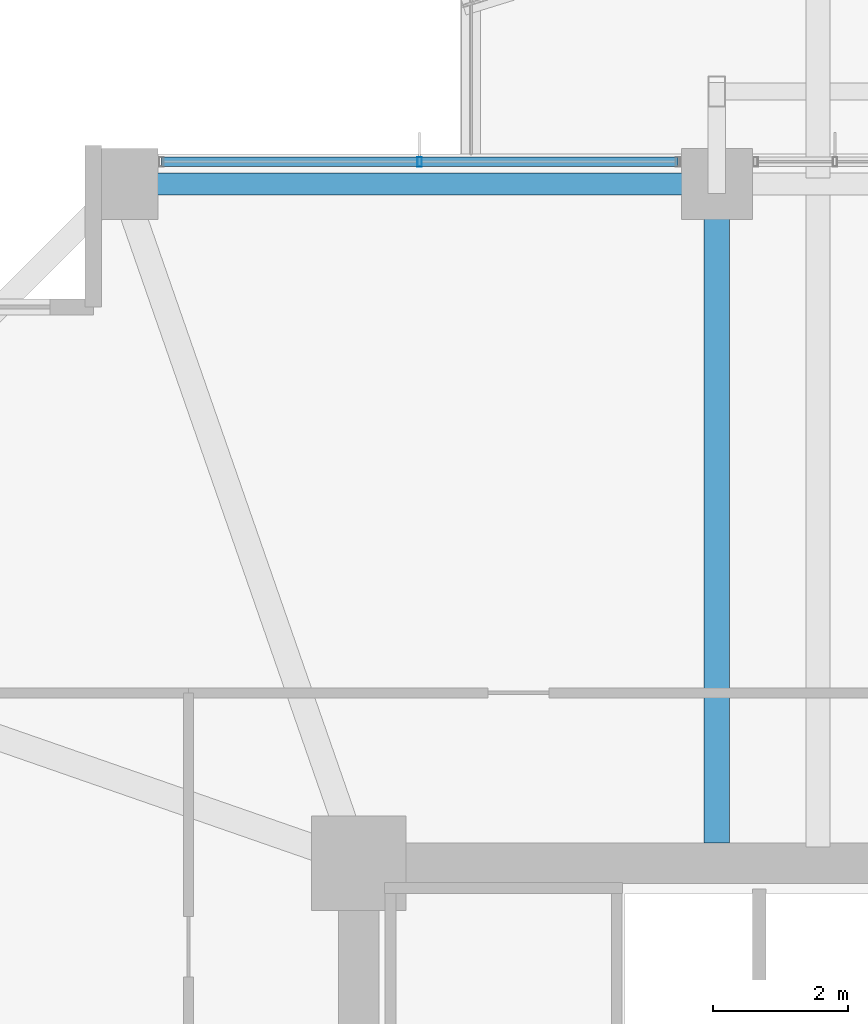
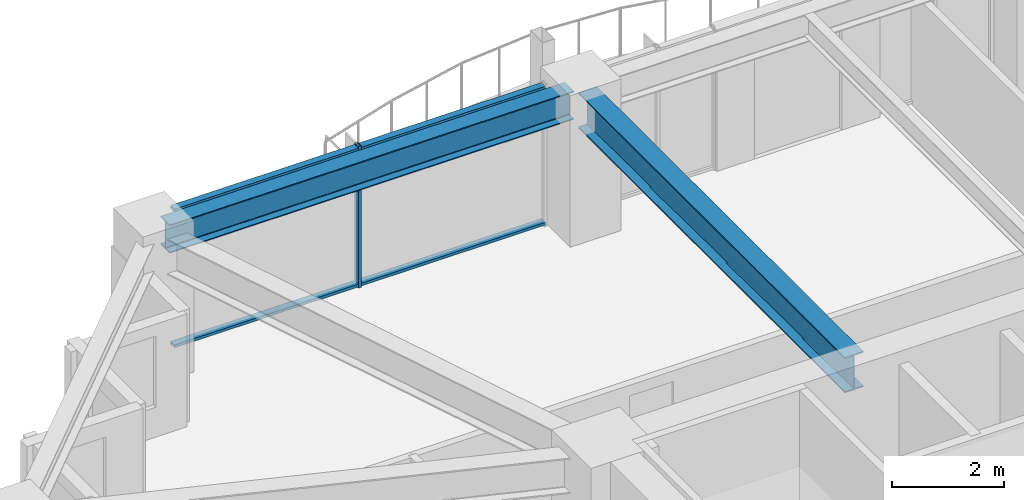
# One storey, part 20 of 38: 3 members, 2 beams, 1 element without a shape of its own.
"""IFC4 building model written with IfcOpenShell, lengths in metres."""

from ifc_helpers import new_model, si_unit, direction, frame, origin, origin_2d, place, context, subcontext, project, spatial, hollow_rectangle, i_section, extrude, material, material_profile, profile_set, type_object, element, aggregate, save


model = new_model("IFC4")

# Units and contexts
model_context = context("Model", 3, precision=1e-05, world=origin(), true_north=direction((0.0, 1.0)))
body_context = subcontext(model_context, "Body", "Model", "MODEL_VIEW")
ifc_project = project(units=[si_unit("LENGTHUNIT", "METRE"), si_unit("AREAUNIT", "SQUARE_METRE"), si_unit("VOLUMEUNIT", "CUBIC_METRE"), si_unit("PLANEANGLEUNIT", "RADIAN"), si_unit("MASSUNIT", "GRAM", prefix="KILO")], contexts=[model_context])

# Site, building, storey
site_placement = place(None, origin())
site = spatial("IfcSite", under=ifc_project, at=site_placement, CompositionType="ELEMENT")
building_placement = place(site_placement, origin())
building = spatial("IfcBuilding", under=site, at=building_placement, Name="Kolvaren Belvedere", CompositionType="ELEMENT")
storey_placement = place(building_placement, frame((0.0, 0.0, 72.199951171875)))
storey = spatial("IfcBuildingStorey", under=building, at=storey_placement, Name="L20", CompositionType="ELEMENT", Elevation=72.199951171875)

# Beams
ifc_material_1 = material(Name="Structural steel ASTM A992 Grade 50", Category="steel")
ifc_material_profile_1 = material_profile(ifc_material_1, i_section(OverallWidth=0.381103515625, OverallDepth=0.77294921875, WebThickness=0.0166015625, FlangeThickness=0.027099609375, FilletRadius=0.02392578125, at=origin_2d()), Name="W30X173")
ifc_profile_set_1 = profile_set([ifc_material_profile_1], Name="Structural steel ASTM A992 Grade 50")
beam_type_1 = type_object("IfcBeamType", Name="BM-GIRD-W30X173", PredefinedType="BEAM", material=ifc_profile_set_1)
beam_1_placement = place(storey_placement, frame((-4.60009765625, 10.199951171875, 2.693603515625), z_axis=(0.0, 1.0, 0.0), x_axis=(-1.0, 0.0, 0.0)))
element("IfcBeam", 1, at=beam_1_placement, inside=storey, type_object=beam_type_1, Name="L20 North Radial Girder M", PredefinedType="BEAM", context=body_context, shape_type="SweptSolid", body=[
    extrude(i_section(OverallWidth=0.381103515625, OverallDepth=0.77294921875, WebThickness=0.0166015625, FlangeThickness=0.027099609375, FilletRadius=0.02392578125, at=origin_2d()), origin(), (0.0, 0.0, 1.0), 9.513916015625),
])
ifc_material_2 = material(Name="Structural steel ASTM A992 Grade 50", Category="steel")
ifc_material_profile_2 = material_profile(ifc_material_2, i_section(OverallWidth=0.324951171875, OverallDepth=0.615966796875, WebThickness=0.013916015625, FlangeThickness=0.021484375, FilletRadius=0.02001953125, at=origin_2d()), Name="W24X117")
ifc_profile_set_2 = profile_set([ifc_material_profile_2], Name="Structural steel ASTM A992 Grade 50")
beam_type_2 = type_object("IfcBeamType", Name="BM-SPAN-W24X117", PredefinedType="SPANDREL", material=ifc_profile_set_2)
beam_2_placement = place(storey_placement, frame((-4.836181640625, 19.949951171875, 2.77197265625), z_axis=(-1.0, 0.0, 0.0), x_axis=(0.0, -1.0, 0.0)))
element("IfcBeam", 2, at=beam_2_placement, inside=storey, type_object=beam_type_2, Name="L20 Perimeter Spandrel N2-N1", PredefinedType="SPANDREL", context=body_context, shape_type="SweptSolid", body=[
    extrude(i_section(OverallWidth=0.324951171875, OverallDepth=0.615966796875, WebThickness=0.013916015625, FlangeThickness=0.021484375, FilletRadius=0.02001953125, at=origin_2d()), origin(), (0.0, 0.0, 1.0), 8.32763671875),
])

# Curtain wall, members
ifc_material_3 = material(Name="Anodised pale-metal aluminium AA 6063-T6", Category="aluminium")
curtain_wall_type = type_object("IfcCurtainWallType", Name="CW-Z2-MID", PredefinedType="NOTDEFINED", material=ifc_material_3)
curtain_wall_placement = place(storey_placement, origin())
curtain_wall = element("IfcCurtainWall", 3, at=curtain_wall_placement, inside=storey, type_object=curtain_wall_type, Name="L20 Unitised Curtain Wall FCW-L20-N1-B1", PredefinedType="NOTDEFINED")
ifc_material_4 = material(Name="Anodised pale-metal aluminium AA 6063-T6", Category="aluminium")
ifc_material_profile_3 = material_profile(ifc_material_4, hollow_rectangle(XDim=0.06494140625, YDim=0.139892578125, WallThickness=0.00390625, at=origin_2d()), Name="ALU-MUL-140X65")
ifc_profile_set_3 = profile_set([ifc_material_profile_3], Name="Anodised pale-metal aluminium AA 6063-T6")
member_type_1 = type_object("IfcMemberType", Name="CW-MUL-140", PredefinedType="MULLION", material=ifc_profile_set_3)
member_1_placement = place(storey_placement, frame((-9.0, 20.280029296875, 0.0), z_axis=(0.0, 0.0, 1.0), x_axis=(1.0, 0.0, 0.0)))
member_1 = element("IfcMember", 4, at=member_1_placement, type_object=member_type_1, Name="FCW-L20-N1-B1 Unitised Mullion 2", PredefinedType="MULLION", context=body_context, shape_type="SweptSolid", body=[
    extrude(hollow_rectangle(XDim=0.06494140625, YDim=0.139892578125, WallThickness=0.00390625, at=origin_2d()), origin(), (0.0, 0.0, 1.0), 3.080078125),
])
ifc_material_5 = material(Name="Anodised pale-metal aluminium AA 6063-T6", Category="aluminium")
ifc_material_profile_4 = material_profile(ifc_material_5, hollow_rectangle(XDim=0.06005859375, YDim=0.139892578125, WallThickness=0.00390625, at=origin_2d()), Name="ALU-TRN-140X60")
ifc_profile_set_4 = profile_set([ifc_material_profile_4], Name="Anodised pale-metal aluminium AA 6063-T6")
member_type_2 = type_object("IfcMemberType", Name="CW-TRN-140", PredefinedType="USERDEFINED", material=ifc_profile_set_4)
member_2_placement = place(storey_placement, frame((-12.822509765625, 20.280029296875, 0.06005859375), z_axis=(1.0, 0.0, 0.0), x_axis=(0.0, 0.0, 1.0)))
member_2 = element("IfcMember", 5, at=member_2_placement, type_object=member_type_2, Name="FCW-L20-N1-B1 Sill Transom", ObjectType="TRANSOM", PredefinedType="USERDEFINED", context=body_context, shape_type="SweptSolid", body=[
    extrude(hollow_rectangle(XDim=0.06005859375, YDim=0.139892578125, WallThickness=0.00390625, at=origin_2d()), origin(), (0.0, 0.0, 1.0), 7.64501953125),
])
member_3_placement = place(storey_placement, frame((-12.822509765625, 20.280029296875, 3.02001953125), z_axis=(1.0, 0.0, 0.0), x_axis=(0.0, 0.0, 1.0)))
member_3 = element("IfcMember", 6, at=member_3_placement, type_object=member_type_2, Name="FCW-L20-N1-B1 Head Transom", ObjectType="TRANSOM", PredefinedType="USERDEFINED", context=body_context, shape_type="SweptSolid", body=[
    extrude(hollow_rectangle(XDim=0.06005859375, YDim=0.139892578125, WallThickness=0.00390625, at=origin_2d()), origin(), (0.0, 0.0, 1.0), 7.64501953125),
])
aggregate(curtain_wall, [member_1, member_2, member_3])

save(model, "model.ifc")
